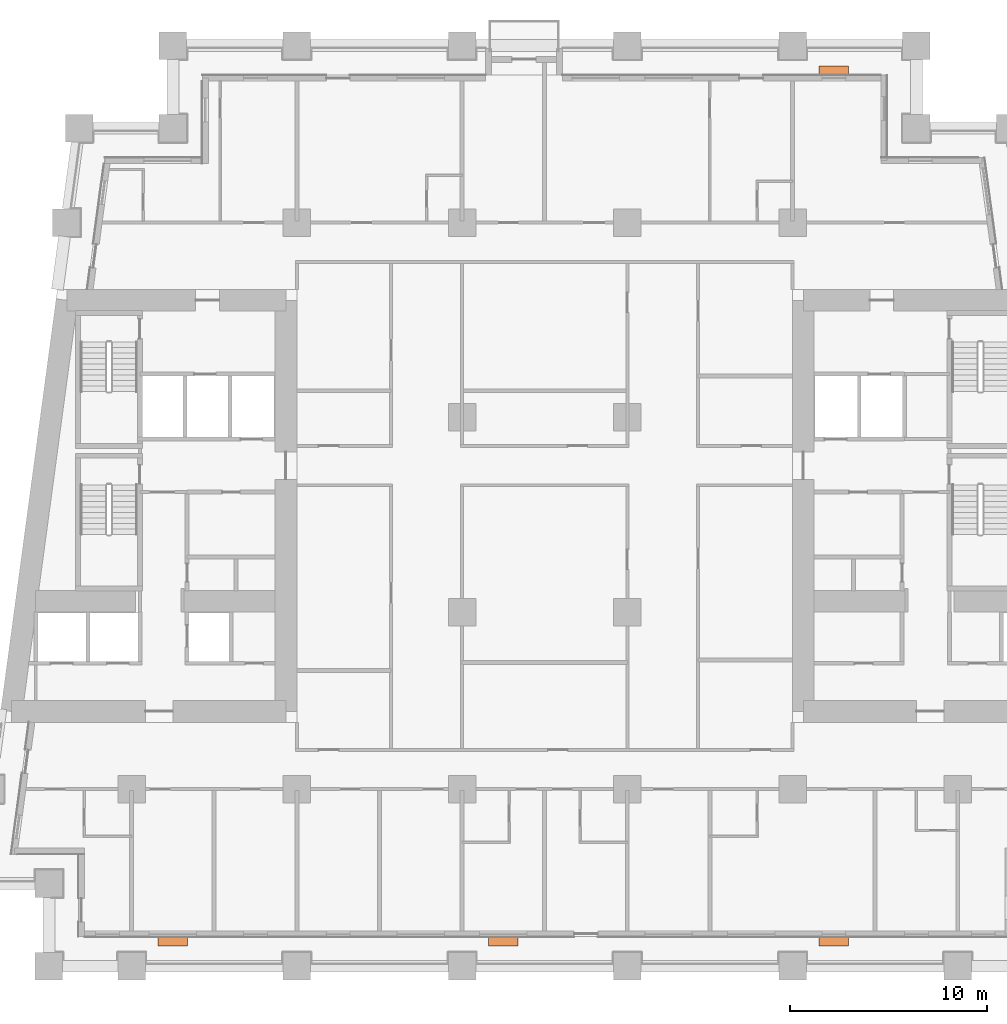
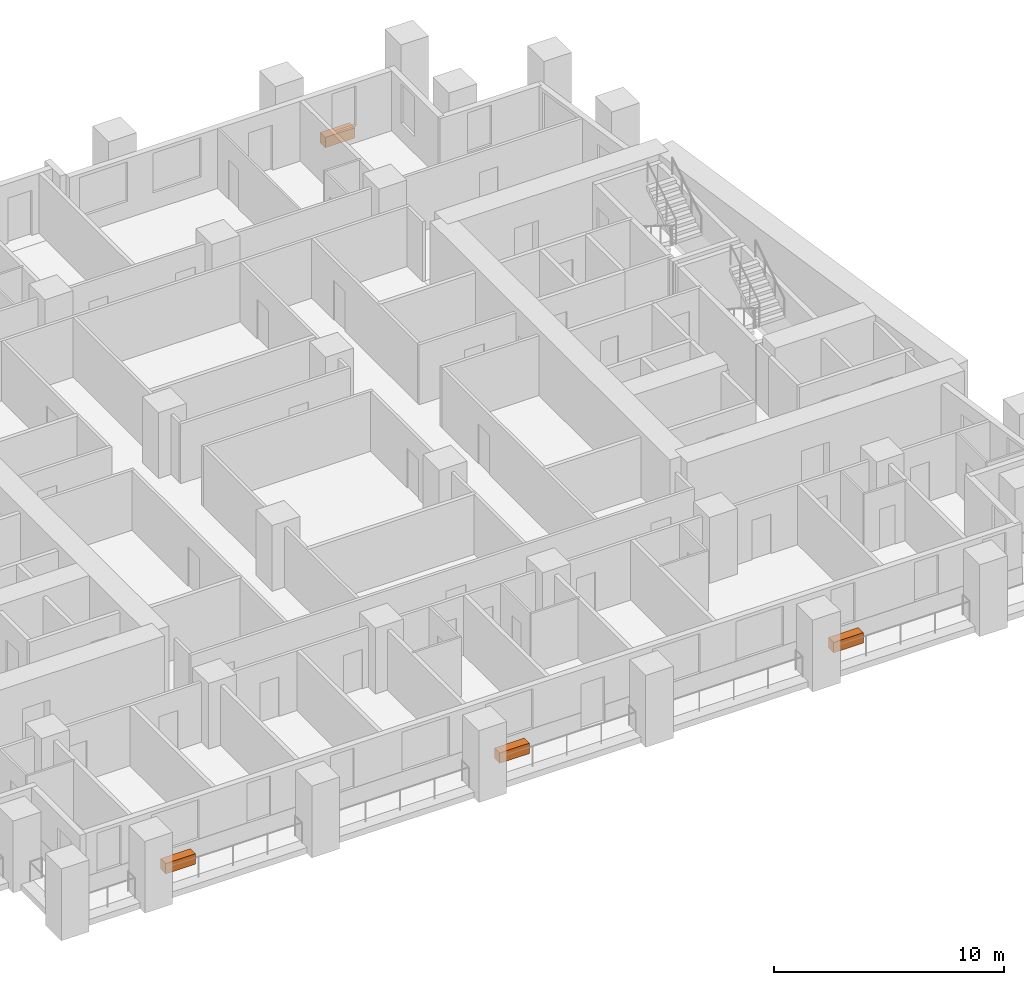
# One storey, part 12 of 12: 4 proxies.
"""IFC4 building model written with IfcOpenShell, lengths in metres."""

from ifc_helpers import new_model, si_unit, direction, frame, origin, origin_2d, place, context, subcontext, project, spatial, rectangle, extrude, element, save


model = new_model("IFC4")

# Units and contexts
model_context = context("Model", 3, precision=1e-05, world=origin(), true_north=direction((0.0, 1.0)))
body_context = subcontext(model_context, "Body", "Model", "MODEL_VIEW")
ifc_project = project(units=[si_unit("LENGTHUNIT", "METRE"), si_unit("AREAUNIT", "SQUARE_METRE"), si_unit("VOLUMEUNIT", "CUBIC_METRE"), si_unit("PLANEANGLEUNIT", "RADIAN"), si_unit("MASSUNIT", "GRAM", prefix="KILO")], contexts=[model_context])

# Site, building, storey
site_placement = place(None, origin())
site = spatial("IfcSite", under=ifc_project, at=site_placement, CompositionType="ELEMENT")
building_placement = place(site_placement, origin())
building = spatial("IfcBuilding", under=site, at=building_placement, Name="Candeia Pilgrim Tower and Theatre", CompositionType="ELEMENT")
storey_placement = place(building_placement, frame((0.0, 0.0, 39.0)))
storey = spatial("IfcBuildingStorey", under=building, at=storey_placement, Name="L06", CompositionType="ELEMENT", Elevation=39.0)

# Proxies
for number, where, z_axis, x_axis, name in (
    (1, (94.5, 99.2548828125, 0.0), (0.0, 0.0, 1.0), (1.0, 0.0, 0.0), "Planter"),
    (2, (111.300048828125, 99.2548828125, 0.0), (0.0, 0.0, 1.0), (1.0, 0.0, 0.0), "Planter"),
    (3, (128.10009765625, 99.2548828125, 0.0), (0.0, 0.0, 1.0), (1.0, 0.0, 0.0), "Planter"),
    (4, (128.10009765625, 143.544921875, 0.0), (0.0, 0.0, 1.0), (-1.0, 0.0, 0.0), "Planter"),
):
    element("IfcBuildingElementProxy", number, at=place(storey_placement, frame(where, z_axis=z_axis, x_axis=x_axis)), inside=storey, Name=name, ObjectType="PLANTER", PredefinedType="USERDEFINED", context=body_context, shape_type="SweptSolid", body=[
        extrude(rectangle(XDim=1.5, YDim=0.449951171875, at=origin_2d()), origin(), (0.0, 0.0, 1.0), 0.550048828125),
    ])

save(model, "model.ifc")
